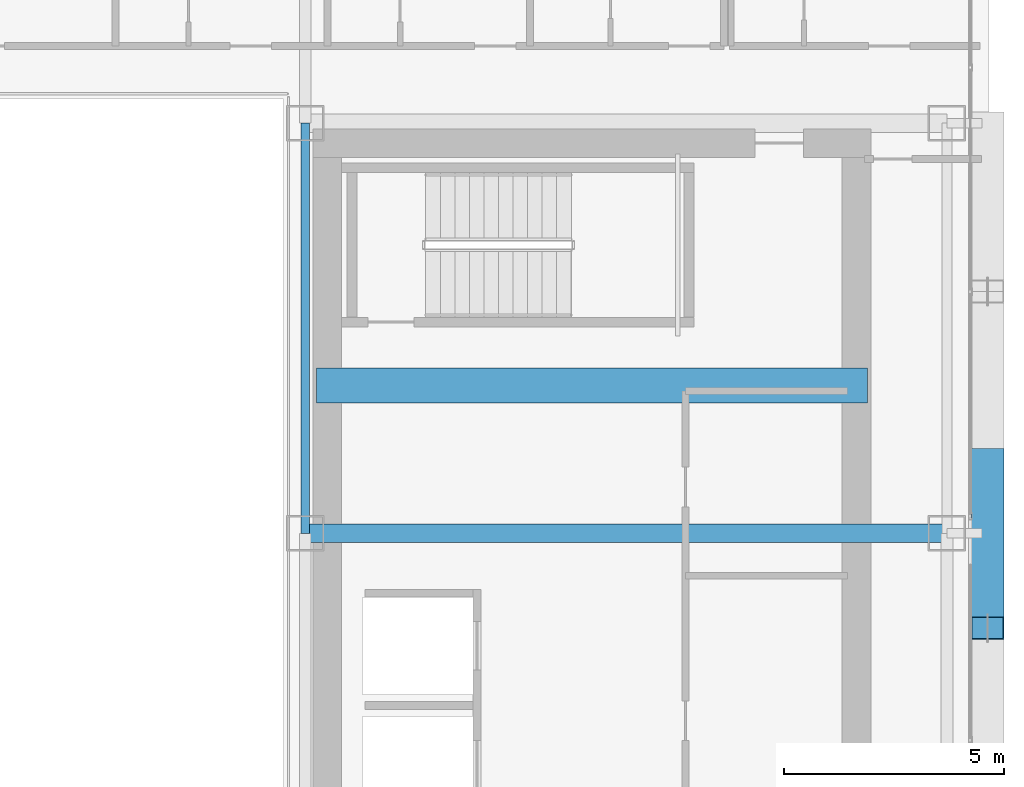
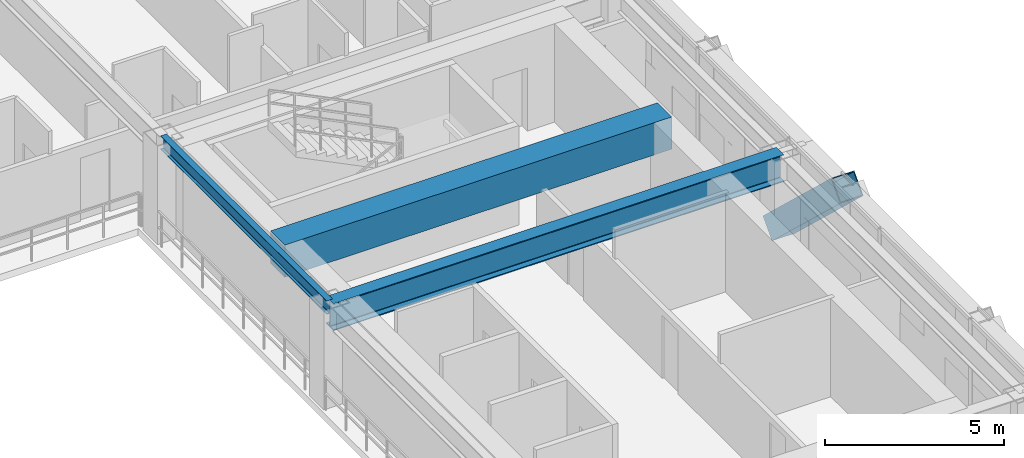
# One storey, part 14 of 36: 3 beams, 1 member.
"""IFC4 building model written with IfcOpenShell, lengths in metres."""

import ifcopenshell
import ifcopenshell.guid

model = None  # the IFC model being written
_history = None  # IfcOwnerHistory: only IFC2X3 demands one
_inside = {}  # id of a spatial element -> (the spatial element, [elements in it])
_under = {}  # id of a project, library or spatial element -> (it, [spatial elements below it])
_declared = {}  # id of a project -> (the project, [libraries it declares])
_typed = {}  # id of a type object -> (the type object, [elements of that type])
_made_of = {}  # id of a material, layer set ... -> (it, [elements and type objects made of it])


def new_model(schema):
    """Start an empty IFC model of exactly this schema.

    Asked for "IFC4X3", IfcOpenShell would pick the latest addendum, in which some entities
    have other attributes; the version numbers below select the first issue.
    IFC2X3 requires an IfcOwnerHistory on every rooted entity: one is made here for all.
    """
    global model, _history
    if schema == "IFC4X3":
        model = ifcopenshell.file(schema_version=(4, 3, 0, 0))
    else:
        model = ifcopenshell.file(schema=schema)
    _inside.clear()
    _under.clear()
    _declared.clear()
    _typed.clear()
    _made_of.clear()
    _history = None
    if model.schema == "IFC2X3":
        org = make("IfcOrganization", Name="unknown")
        user = make(
            "IfcPersonAndOrganization",
            ThePerson=make("IfcPerson", FamilyName="unknown"),
            TheOrganization=org,
        )
        app = make(
            "IfcApplication",
            ApplicationDeveloper=org,
            Version="unknown",
            ApplicationFullName="unknown",
            ApplicationIdentifier="unknown",
        )
        _history = make(
            "IfcOwnerHistory",
            OwningUser=user,
            OwningApplication=app,
            ChangeAction="ADDED",
            CreationDate=0,
        )
    return model


def make(cls, **values):
    """One entity of the class cls with the attributes given. An attribute that is None is left unset."""
    return model.create_entity(
        cls, **{name: value for name, value in values.items() if value is not None}
    )


def rooted(cls, **values):
    """An entity with a GlobalId (a new one), such as an element, a storey or a relation."""
    return make(cls, GlobalId=ifcopenshell.guid.new(), OwnerHistory=_history, **values)


def si_unit(unit_type, name, prefix=None):
    """IfcSIUnit, for example si_unit("LENGTHUNIT", "METRE", prefix="MILLI")."""
    return make("IfcSIUnit", UnitType=unit_type, Prefix=prefix, Name=name)


def assignment(units):
    """IfcUnitAssignment: the units of a project."""
    return None if units is None else make("IfcUnitAssignment", Units=units)


def point(xyz):
    """IfcCartesianPoint."""
    return None if xyz is None else make("IfcCartesianPoint", Coordinates=xyz)


def direction(xyz):
    """IfcDirection."""
    return None if xyz is None else make("IfcDirection", DirectionRatios=xyz)


def frame(location, z_axis=None, x_axis=None):
    """IfcAxis2Placement3D, a coordinate frame: its origin and axes. An axis left out is left unset."""
    return make(
        "IfcAxis2Placement3D",
        Location=point(location),
        Axis=direction(z_axis),
        RefDirection=direction(x_axis),
    )


def frame_2d(location, x_axis=None):
    """IfcAxis2Placement2D, a coordinate frame in the plane: its origin and x axis."""
    return make(
        "IfcAxis2Placement2D", Location=point(location), RefDirection=direction(x_axis)
    )


def origin():
    """The frame at (0, 0, 0) with its axes left unset."""
    return frame((0.0, 0.0, 0.0))


def origin_2d():
    """The frame at (0, 0) in the plane with its x axis left unset."""
    return frame_2d((0.0, 0.0))


def place(relative_to, where):
    """IfcLocalPlacement: puts the frame where relative to a parent placement (None: the world)."""
    return make(
        "IfcLocalPlacement", PlacementRelTo=relative_to, RelativePlacement=where
    )


def context(
    kind, dimensions, precision=None, world=None, true_north=None, identifier=None
):
    """IfcGeometricRepresentationContext, for example the 3D "Model" context."""
    return make(
        "IfcGeometricRepresentationContext",
        ContextIdentifier=identifier,
        ContextType=kind,
        CoordinateSpaceDimension=dimensions,
        Precision=precision,
        WorldCoordinateSystem=world,
        TrueNorth=true_north,
    )


def subcontext(parent, identifier, kind, view, scale=None):
    """IfcGeometricRepresentationSubContext, for example "Body" below "Model"."""
    return make(
        "IfcGeometricRepresentationSubContext",
        ContextIdentifier=identifier,
        ContextType=kind,
        ParentContext=parent,
        TargetScale=scale,
        TargetView=view,
    )


def project(units=None, contexts=None):
    """IfcProject with its units and contexts."""
    return rooted(
        "IfcProject",
        Name="project",
        RepresentationContexts=contexts,
        UnitsInContext=assignment(units),
    )


def spatial(cls, under=None, at=None, **own):
    """A site, building, storey or space (cls), placed at a placement, below another one or the project."""
    s = rooted(cls, ObjectPlacement=at, **own)
    if under is not None:
        _under.setdefault(under.id(), (under, []))[1].append(s)
    return s


def profile(cls, at=None, kind="AREA", **sizes):
    """A parametric profile (cls). Its sizes go by their IFC names, for example OverallWidth=200.0."""
    return make(cls, ProfileType=kind, Position=at, **sizes)


def rectangle(**sizes):
    """IfcRectangleProfileDef."""
    return profile("IfcRectangleProfileDef", **sizes)


def hollow_rectangle(**sizes):
    """IfcRectangleHollowProfileDef."""
    return profile("IfcRectangleHollowProfileDef", **sizes)


def i_section(**sizes):
    """IfcIShapeProfileDef."""
    return profile("IfcIShapeProfileDef", **sizes)


def extrude(swept, where, along, depth):
    """IfcExtrudedAreaSolid: the profile swept, set in the frame where, extruded along a direction by depth."""
    return make(
        "IfcExtrudedAreaSolid",
        SweptArea=swept,
        Position=where,
        ExtrudedDirection=direction(along),
        Depth=depth,
    )


def shape(context_of_items, identifier, shape_type, items):
    """IfcShapeRepresentation: the items that make up one representation, for example the "Body"."""
    return make(
        "IfcShapeRepresentation",
        ContextOfItems=context_of_items,
        RepresentationIdentifier=identifier,
        RepresentationType=shape_type,
        Items=items,
    )


def source(mapping_origin, context_of_items, identifier, shape_type, items):
    """IfcRepresentationMap: a shape defined once, which mapped items show again and again."""
    return make(
        "IfcRepresentationMap",
        MappingOrigin=mapping_origin,
        MappedRepresentation=shape(context_of_items, identifier, shape_type, items),
    )


def transform(
    local_origin,
    x_axis=None,
    y_axis=None,
    z_axis=None,
    scale=None,
    scale2=None,
    scale3=None,
    uniform=True,
):
    """IfcCartesianTransformationOperator3D, or its non-uniform kind. x_axis, y_axis, z_axis: its Axis1, 2, 3."""
    if uniform:
        return make(
            "IfcCartesianTransformationOperator3D",
            Axis1=direction(x_axis),
            Axis2=direction(y_axis),
            LocalOrigin=point(local_origin),
            Scale=scale,
            Axis3=direction(z_axis),
        )
    return make(
        "IfcCartesianTransformationOperator3DnonUniform",
        Axis1=direction(x_axis),
        Axis2=direction(y_axis),
        LocalOrigin=point(local_origin),
        Scale=scale,
        Axis3=direction(z_axis),
        Scale2=scale2,
        Scale3=scale3,
    )


def mapped(mapping_source, mapping_target):
    """IfcMappedItem: shows the shape of a source again, moved by a transform."""
    return make(
        "IfcMappedItem", MappingSource=mapping_source, MappingTarget=mapping_target
    )


def material(Name=None, Category=None):
    """IfcMaterial."""
    return make("IfcMaterial", Name=Name, Category=Category)


def material_profile(
    of_material, cross_section, Name=None, Category=None, Priority=None
):
    """IfcMaterialProfile: a cross section and its material."""
    return make(
        "IfcMaterialProfile",
        Name=Name,
        Material=of_material,
        Profile=cross_section,
        Priority=Priority,
        Category=Category,
    )


def profile_set(profiles, Name=None, composite=None):
    """IfcMaterialProfileSet."""
    return make(
        "IfcMaterialProfileSet",
        Name=Name,
        MaterialProfiles=profiles,
        CompositeProfile=composite,
    )


def made_of(thing, what):
    """Note that an element or type object is made of a material, layer set ...; save() writes the relation."""
    if what is not None:
        _made_of.setdefault(what.id(), (what, []))[1].append(thing)
    return thing


def type_object(cls, material=None, **own):
    """A type object (cls), such as IfcWallType, which elements share."""
    return made_of(rooted(cls, **own), material)


def element(
    cls,
    number,
    at=None,
    inside=None,
    cuts=None,
    type_object=None,
    material=None,
    context=None,
    identifier="Body",
    shape_type=None,
    held_by="IfcProductDefinitionShape",
    body=None,
    shapes=None,
    **own,
):
    """One element of the class cls, such as IfcWall. Its Tag is "e" and its number.

    at: its placement. inside: the storey or other place that contains it. cuts: it is an
    opening in that element (IfcRelVoidsElement). A single representation is given by context,
    identifier, shape_type and body (its items); several are given by shapes. held_by: the class
    of the entity that holds the representations. save() writes the other relations.
    """
    e = rooted(cls, Tag="e%d" % number, ObjectPlacement=at, **own)
    if body is not None:
        shapes = [shape(context, identifier, shape_type, body)]
    if shapes is not None:
        e.Representation = make(held_by, Representations=shapes)
    if inside is not None:
        _inside.setdefault(inside.id(), (inside, []))[1].append(e)
    if cuts is not None:
        rooted(
            "IfcRelVoidsElement", RelatingBuildingElement=cuts, RelatedOpeningElement=e
        )
    if type_object is not None:
        _typed.setdefault(type_object.id(), (type_object, []))[1].append(e)
    return made_of(e, material)


def aggregate(whole, parts):
    """IfcRelAggregates: a whole, such as a stair, and the parts it consists of."""
    return rooted("IfcRelAggregates", RelatingObject=whole, RelatedObjects=parts)


def save(model, path):
    """Write the relations noted so far, then the file.

    IfcRelAggregates (storeys below a building ...), IfcRelContainedInSpatialStructure (elements
    in a storey), IfcRelDefinesByType, IfcRelAssociatesMaterial and IfcRelDeclares: one each for
    every whole, place, type object, material and project.
    """
    for whole, parts in _under.values():
        aggregate(whole, parts)
    for where, things in _inside.values():
        rooted(
            "IfcRelContainedInSpatialStructure",
            RelatedElements=things,
            RelatingStructure=where,
        )
    for kind, things in _typed.values():
        rooted("IfcRelDefinesByType", RelatedObjects=things, RelatingType=kind)
    for what, things in _made_of.values():
        rooted("IfcRelAssociatesMaterial", RelatedObjects=things, RelatingMaterial=what)
    for by, libraries in _declared.values():
        rooted("IfcRelDeclares", RelatingContext=by, RelatedDefinitions=libraries)
    model.write(path)


model = new_model("IFC4")

# Units and contexts
model_context = context("Model", 3, precision=1e-05, world=origin(), true_north=direction((0.0, 1.0)))
body_context = subcontext(model_context, "Body", "Model", "MODEL_VIEW")
ifc_project = project(units=[si_unit("LENGTHUNIT", "METRE"), si_unit("AREAUNIT", "SQUARE_METRE"), si_unit("VOLUMEUNIT", "CUBIC_METRE"), si_unit("PLANEANGLEUNIT", "RADIAN"), si_unit("MASSUNIT", "GRAM", prefix="KILO")], contexts=[model_context])

# Site, building, storey
site_placement = place(None, origin())
site = spatial("IfcSite", under=ifc_project, at=site_placement, CompositionType="ELEMENT")
building_placement = place(site_placement, origin())
building = spatial("IfcBuilding", under=site, at=building_placement, Name="Ocotamira Hotel", CompositionType="ELEMENT")
storey_placement = place(building_placement, frame((0.0, 0.0, 97.199951171875)))
storey = spatial("IfcBuildingStorey", under=building, at=storey_placement, Name="L23", CompositionType="ELEMENT", Elevation=97.199951171875)

# Beams
ifc_material_1 = material(Name="Concrete C60/75", Category="concrete")
ifc_material_profile_1 = material_profile(ifc_material_1, rectangle(XDim=0.800048828125, YDim=1.10009765625, at=origin_2d()), Name="RC800X1100")
ifc_profile_set_1 = profile_set([ifc_material_profile_1], Name="Concrete C60/75")
beam_type_1 = type_object("IfcBeamType", Name="BM-LINK-RC800", PredefinedType="LINTEL", material=ifc_profile_set_1)
shared_shape_1 = source(origin(), body_context, "Body", "SweptSolid", [
    extrude(rectangle(XDim=0.800048828125, YDim=1.10009765625, at=origin_2d()), origin(), (0.0, 0.0, 1.0), 12.5),
])
beam_1_placement = place(storey_placement, frame((40.75, 31.5, 2.81005859375), z_axis=(1.0, 0.0, 0.0), x_axis=(0.0, 1.0, 0.0)))
element("IfcBeam", 1, at=beam_1_placement, inside=storey, type_object=beam_type_1, Name="L23 East Core Coupling Beam", PredefinedType="LINTEL", context=body_context, shape_type="MappedRepresentation", body=[
    mapped(shared_shape_1, transform((0.0, 0.0, 0.0), scale=1.0)),
])
ifc_material_2 = material(Name="Steel ASTM A992 Grade 50", Category="steel")
ifc_material_profile_2 = material_profile(ifc_material_2, i_section(OverallWidth=0.41796875, OverallDepth=0.927001953125, WebThickness=0.019287109375, FlangeThickness=0.031982421875, FilletRadius=0.02392578125, at=origin_2d()), Name="W36X231")
ifc_profile_set_2 = profile_set([ifc_material_profile_2], Name="Steel ASTM A992 Grade 50")
beam_type_2 = type_object("IfcBeamType", Name="BM-GIRD-W36X231", PredefinedType="BEAM", material=ifc_profile_set_2)
shared_shape_2 = source(origin(), body_context, "Body", "SweptSolid", [
    extrude(i_section(OverallWidth=0.41796875, OverallDepth=0.927001953125, WebThickness=0.019287109375, FlangeThickness=0.031982421875, FilletRadius=0.02392578125, at=origin_2d()), origin(), (0.0, 0.0, 1.0), 14.550048828125),
])
beam_2_placement = place(storey_placement, frame((40.5, 28.14990234375, 2.896484375), z_axis=(1.0, 0.0, 0.0), x_axis=(0.0, 1.0, 0.0)))
element("IfcBeam", 2, at=beam_2_placement, inside=storey, type_object=beam_type_2, Name="L23 Girder Y28.15 X40.5-55.05", PredefinedType="BEAM", context=body_context, shape_type="MappedRepresentation", body=[
    mapped(shared_shape_2, transform((0.0, 0.0, 0.0), scale=1.0)),
])
ifc_material_profile_3 = material_profile(ifc_material_2, i_section(OverallWidth=0.18994140625, OverallDepth=0.45703125, WebThickness=0.009033203125, FlangeThickness=0.014404296875, FilletRadius=0.010009765625, at=origin_2d()), Name="W18X50")
ifc_profile_set_3 = profile_set([ifc_material_profile_3], Name="Steel ASTM A992 Grade 50")
beam_type_3 = type_object("IfcBeamType", Name="BM-SEC-W18X50", PredefinedType="JOIST", material=ifc_profile_set_3)
shared_shape_3 = source(origin(), body_context, "Body", "SweptSolid", [
    extrude(i_section(OverallWidth=0.18994140625, OverallDepth=0.45703125, WebThickness=0.009033203125, FlangeThickness=0.014404296875, FilletRadius=0.010009765625, at=origin_2d()), origin(), (0.0, 0.0, 1.0), 9.300048828125),
])
beam_3_placement = place(storey_placement, frame((40.5, 28.14990234375, 3.131591796875), z_axis=(0.0, 1.0, 0.0), x_axis=(-1.0, 0.0, 0.0)))
element("IfcBeam", 3, at=beam_3_placement, inside=storey, type_object=beam_type_3, Name="L23 Beam X40.5 Y28.15-37.45", PredefinedType="JOIST", context=body_context, shape_type="MappedRepresentation", body=[
    mapped(shared_shape_3, transform((0.0, 0.0, 0.0), scale=1.0)),
])

# Member
ifc_material_3 = material(Name="Pale-metal coated steel ASTM A913 Grade 65", Category="steel")
ifc_material_profile_4 = material_profile(ifc_material_3, hollow_rectangle(XDim=0.75, YDim=0.75, WallThickness=0.028076171875, at=origin_2d()), Name="BOX750X750X28")
ifc_profile_set_4 = profile_set([ifc_material_profile_4], Name="Pale-metal coated steel ASTM A913 Grade 65")
member_type = type_object("IfcMemberType", Name="MEM-EXO-BOX750", PredefinedType="BRACE", material=ifc_profile_set_4)
shared_shape_4 = source(origin(), body_context, "Body", "SweptSolid", [
    extrude(hollow_rectangle(XDim=0.75, YDim=0.75, WallThickness=0.028076171875, at=origin_2d()), origin(), (0.0, 0.0, 1.0), 5.24658203125),
])
member_placement = place(storey_placement, frame((55.969970703125, 29.816650390625, -0.489990234375), z_axis=(0.0, -0.727442733726, 0.686168397078), x_axis=(1.0, 0.0, 0.0)))
element("IfcMember", 4, at=member_placement, inside=storey, type_object=member_type, Name="L23 Exoskeleton Diagrid E1.2", PredefinedType="BRACE", context=body_context, shape_type="MappedRepresentation", body=[
    mapped(shared_shape_4, transform((0.0, 0.0, 0.0), scale=1.0)),
])

save(model, "model.ifc")
